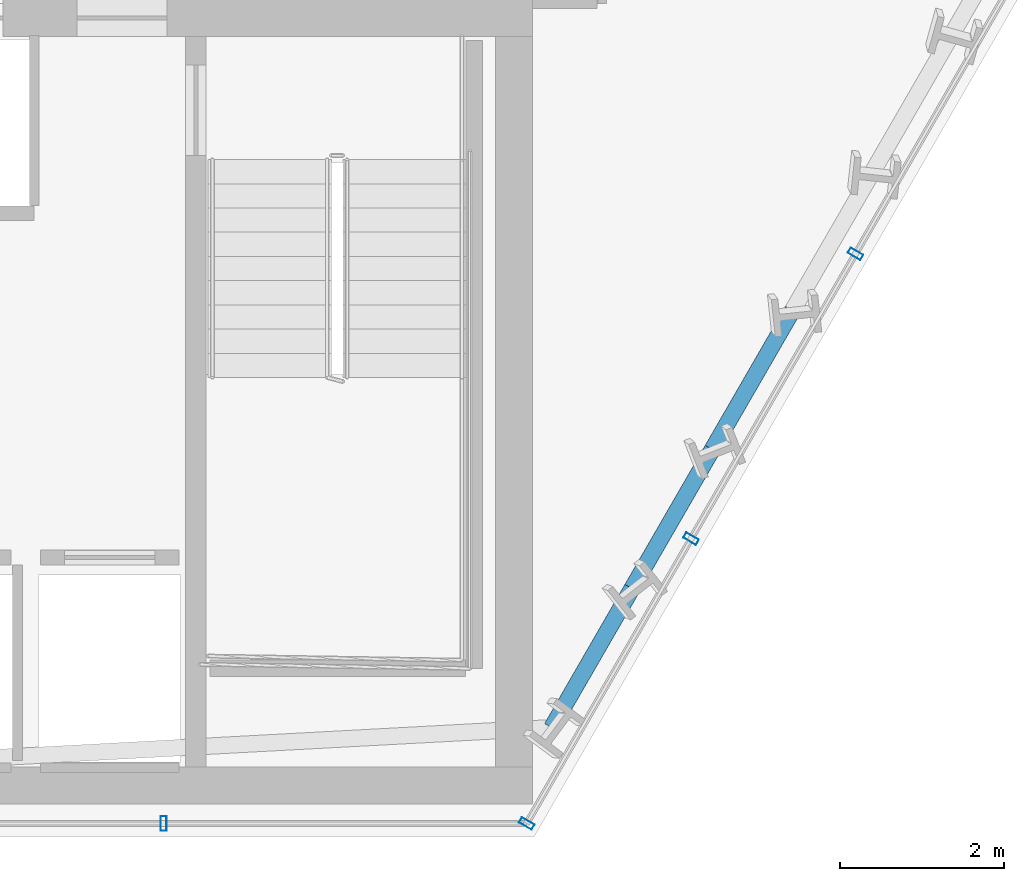
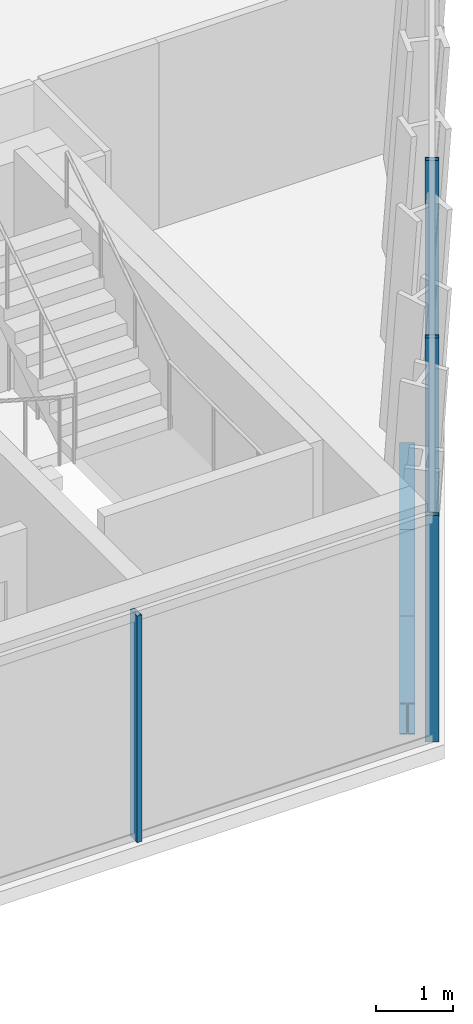
# One storey, part 14 of 32: 4 members, 3 beams, 2 elements without a shape of their own.
"""IFC4 building model written with IfcOpenShell, lengths in metres."""

from ifc_helpers import new_model, si_unit, direction, frame, origin, origin_2d, place, context, subcontext, project, spatial, hollow_rectangle, i_section, extrude, material, layer, layer_set, material_profile, profile_set, type_object, element, aggregate, save


model = new_model("IFC4")

# Units and contexts
model_context = context("Model", 3, precision=1e-05, world=origin(), true_north=direction((0.0, 1.0)))
body_context = subcontext(model_context, "Body", "Model", "MODEL_VIEW")
ifc_project = project(units=[si_unit("LENGTHUNIT", "METRE"), si_unit("AREAUNIT", "SQUARE_METRE"), si_unit("VOLUMEUNIT", "CUBIC_METRE"), si_unit("PLANEANGLEUNIT", "RADIAN"), si_unit("MASSUNIT", "GRAM", prefix="KILO")], contexts=[model_context])

# Site, building, storey
site_placement = place(None, origin())
site = spatial("IfcSite", under=ifc_project, at=site_placement, CompositionType="ELEMENT")
building_placement = place(site_placement, origin())
building = spatial("IfcBuilding", under=site, at=building_placement, Name="Ndaravel Arena Tower", CompositionType="ELEMENT")
storey_placement = place(building_placement, frame((0.0, 0.0, 55.0)))
storey = spatial("IfcBuildingStorey", under=building, at=storey_placement, Name="L11", CompositionType="ELEMENT", Elevation=55.0)

# Beams
ifc_material_1 = material(Name="Steel S355", Category="steel")
ifc_material_profile_1 = material_profile(ifc_material_1, i_section(OverallWidth=0.199951171875, OverallDepth=0.5, WebThickness=0.01025390625, FlangeThickness=0.01611328125, FilletRadius=0.02099609375, at=origin_2d()), Name="IPE 500")
ifc_profile_set_1 = profile_set([ifc_material_profile_1], Name="Steel S355")
beam_type = type_object("IfcBeamType", Name="BM-SPAN-IPE500", PredefinedType="SPANDREL", material=ifc_profile_set_1)
beam_1_placement = place(storey_placement, frame((57.784423828125, 6.327392578125, -0.469970703125), z_axis=(0.49994920724, 0.866054727012, 0.0), x_axis=(-0.866054727012, 0.49994920724, 0.0)))
element("IfcBeam", 1, at=beam_1_placement, inside=storey, type_object=beam_type, Name="L11 Perimeter Spandrel Beam SP-02", PredefinedType="SPANDREL", context=body_context, shape_type="SweptSolid", body=[
    extrude(i_section(OverallWidth=0.199951171875, OverallDepth=0.5, WebThickness=0.01025390625, FlangeThickness=0.01611328125, FilletRadius=0.02099609375, at=origin_2d()), origin(), (0.0, 0.0, 1.0), 1.957275390625),
])
beam_2_placement = place(storey_placement, frame((58.762939453125, 8.0224609375, -0.469970703125), z_axis=(0.500096775829, 0.865969523024, 0.0), x_axis=(-0.865969523024, 0.500096775829, 0.0)))
element("IfcBeam", 2, at=beam_2_placement, inside=storey, type_object=beam_type, Name="L11 Perimeter Spandrel Beam SP-03", PredefinedType="SPANDREL", context=body_context, shape_type="SweptSolid", body=[
    extrude(i_section(OverallWidth=0.199951171875, OverallDepth=0.5, WebThickness=0.01025390625, FlangeThickness=0.01611328125, FilletRadius=0.02099609375, at=origin_2d()), origin(), (0.0, 0.0, 1.0), 1.95703125),
])
beam_3_placement = place(storey_placement, frame((59.74169921875, 9.71728515625, -0.469970703125), z_axis=(0.49994920724, 0.866054727012, 0.0), x_axis=(-0.866054727012, 0.49994920724, 0.0)))
element("IfcBeam", 3, at=beam_3_placement, inside=storey, type_object=beam_type, Name="L11 Perimeter Spandrel Beam SP-04", PredefinedType="SPANDREL", context=body_context, shape_type="SweptSolid", body=[
    extrude(i_section(OverallWidth=0.199951171875, OverallDepth=0.5, WebThickness=0.01025390625, FlangeThickness=0.01611328125, FilletRadius=0.02099609375, at=origin_2d()), origin(), (0.0, 0.0, 1.0), 1.957275390625),
])

# Curtain wall, member
ifc_material_2 = material(Name="Aluminium", Category="aluminium")
ifc_layer_1 = layer(ifc_material_2, 0.179931640625)
ifc_layer_set_1 = layer_set([ifc_layer_1], Name="Aluminium")
curtain_wall_type_1 = type_object("IfcCurtainWallType", Name="CW-SYS-03", PredefinedType="NOTDEFINED", material=ifc_layer_set_1)
curtain_wall_1_placement = place(storey_placement, origin())
curtain_wall_1 = element("IfcCurtainWall", 4, at=curtain_wall_1_placement, inside=storey, type_object=curtain_wall_type_1, Name="L11 Faceted Crystal Curtain Wall CW-L11-E01", PredefinedType="NOTDEFINED")
ifc_material_3 = material(Name="Aluminium", Category="aluminium")
ifc_material_profile_2 = material_profile(ifc_material_3, hollow_rectangle(XDim=0.074951171875, YDim=0.179931640625, WallThickness=0.00390625, at=origin_2d()), Name="CW MULLION 75x180x4")
ifc_profile_set_2 = profile_set([ifc_material_profile_2], Name="Aluminium")
member_type = type_object("IfcMemberType", Name="MEM-CW-MUL180", PredefinedType="MULLION", material=ifc_profile_set_2)
member_1_placement = place(storey_placement, frame((53.05712890625, 5.159912109375, 0.0), z_axis=(0.0, 0.0, 1.0), x_axis=(1.0, 0.0, 0.0)))
member_1 = element("IfcMember", 5, at=member_1_placement, type_object=member_type, Name="CW-L11-E01 Mullion 06", PredefinedType="MULLION", context=body_context, shape_type="SweptSolid", body=[
    extrude(hollow_rectangle(XDim=0.074951171875, YDim=0.179931640625, WallThickness=0.00390625, at=origin_2d()), origin(), (0.0, 0.0, 1.0), 3.580078125),
])
aggregate(curtain_wall_1, [member_1])

# Curtain wall, members
ifc_material_4 = material(Name="Aluminium", Category="aluminium")
ifc_layer_2 = layer(ifc_material_4, 0.179931640625)
ifc_layer_set_2 = layer_set([ifc_layer_2], Name="Aluminium")
curtain_wall_type_2 = type_object("IfcCurtainWallType", Name="CW-SYS-01", PredefinedType="NOTDEFINED", material=ifc_layer_set_2)
curtain_wall_2_placement = place(storey_placement, origin())
curtain_wall_2 = element("IfcCurtainWall", 6, at=curtain_wall_2_placement, inside=storey, type_object=curtain_wall_type_2, Name="L11 Faceted Crystal Curtain Wall CW-L11-E02", PredefinedType="NOTDEFINED")
member_2_placement = place(storey_placement, frame((57.47998046875, 5.159912109375, 0.0), z_axis=(0.0, 0.0, 1.0), x_axis=(0.5, 0.866025403784, 0.0)))
member_2 = element("IfcMember", 7, at=member_2_placement, type_object=member_type, Name="CW-L11-E02 Mullion 00", PredefinedType="MULLION", context=body_context, shape_type="SweptSolid", body=[
    extrude(hollow_rectangle(XDim=0.074951171875, YDim=0.179931640625, WallThickness=0.00390625, at=origin_2d()), origin(), (0.0, 0.0, 1.0), 3.580078125),
])
member_3_placement = place(storey_placement, frame((59.483154296875, 8.6298828125, 0.0), z_axis=(0.0, 0.0, 1.0), x_axis=(0.5, 0.866025403784, 0.0)))
member_3 = element("IfcMember", 8, at=member_3_placement, type_object=member_type, Name="CW-L11-E02 Mullion 01", PredefinedType="MULLION", context=body_context, shape_type="SweptSolid", body=[
    extrude(hollow_rectangle(XDim=0.074951171875, YDim=0.179931640625, WallThickness=0.00390625, at=origin_2d()), origin(), (0.0, 0.0, 1.0), 3.580078125),
])
member_4_placement = place(storey_placement, frame((61.486572265625, 12.099853515625, 0.0), z_axis=(0.0, 0.0, 1.0), x_axis=(0.5, 0.866025403784, 0.0)))
member_4 = element("IfcMember", 9, at=member_4_placement, type_object=member_type, Name="CW-L11-E02 Mullion 02", PredefinedType="MULLION", context=body_context, shape_type="SweptSolid", body=[
    extrude(hollow_rectangle(XDim=0.074951171875, YDim=0.179931640625, WallThickness=0.00390625, at=origin_2d()), origin(), (0.0, 0.0, 1.0), 3.580078125),
])
aggregate(curtain_wall_2, [member_2, member_3, member_4])

save(model, "model.ifc")
